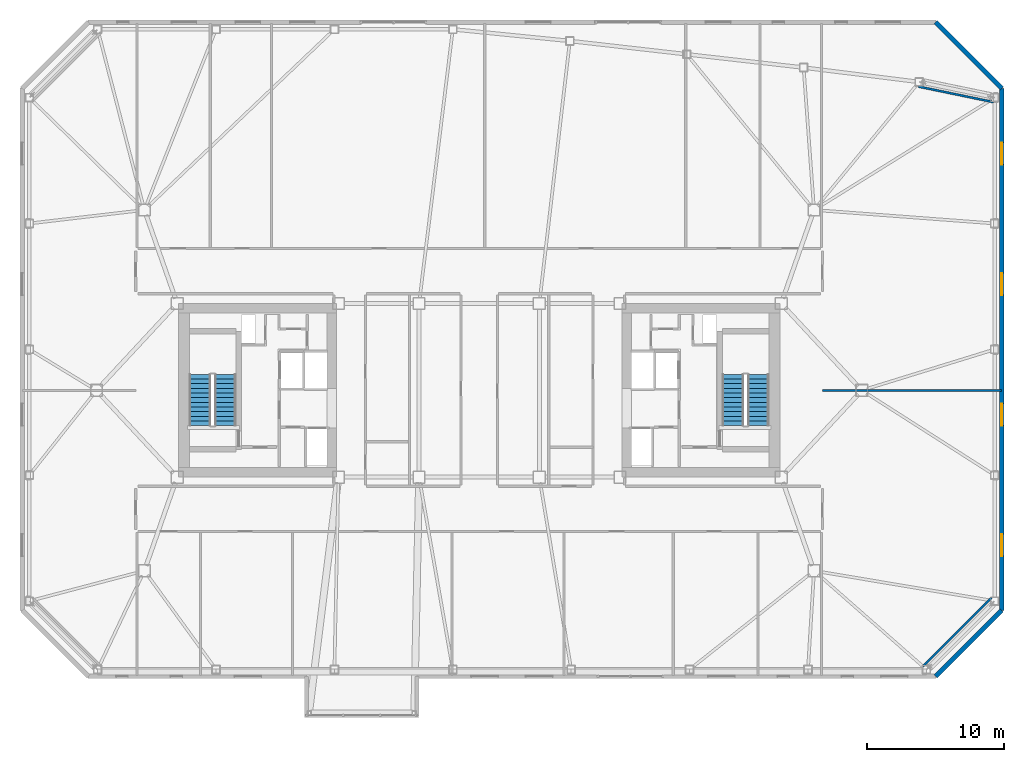
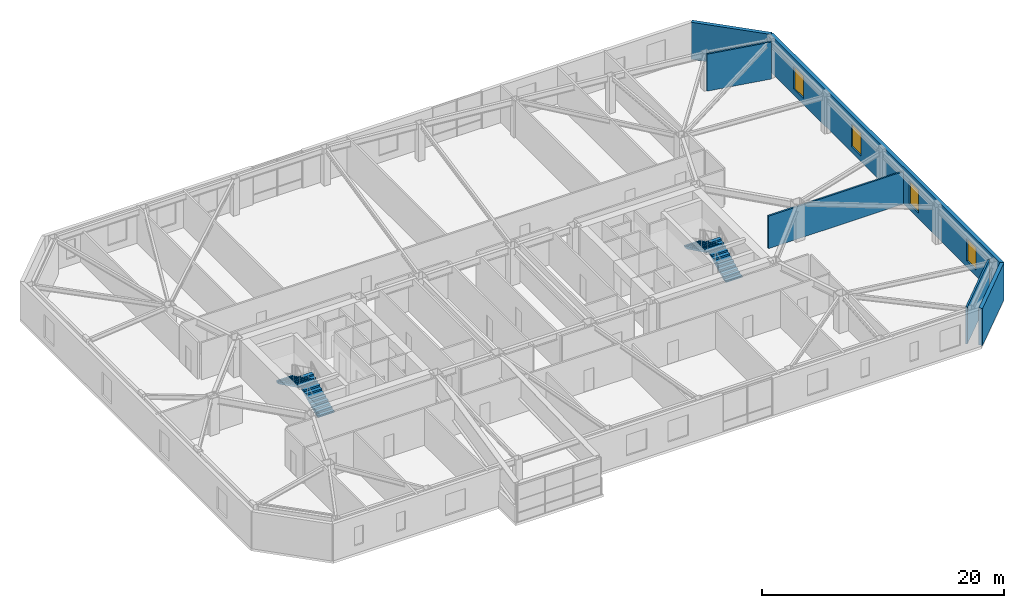
# One storey, part 15 of 19: 6 walls, 4 stair flights, 4 windows, 4 openings, 2 elements without a shape of their own.
"""IFC4 building model written with IfcOpenShell, lengths in metres."""

from ifc_helpers import new_model, si_unit, direction, frame, frame_2d, origin, place, context, subcontext, project, spatial, polyline, rectangle, outline, extrude, material, layer, layer_set, type_object, element, fill, aggregate, save


model = new_model("IFC4")

# Units and contexts
model_context = context("Model", 3, precision=1e-05, world=origin(), true_north=direction((0.0, 1.0)))
body_context = subcontext(model_context, "Body", "Model", "MODEL_VIEW")
ifc_project = project(units=[si_unit("LENGTHUNIT", "METRE"), si_unit("AREAUNIT", "SQUARE_METRE"), si_unit("VOLUMEUNIT", "CUBIC_METRE"), si_unit("PLANEANGLEUNIT", "RADIAN"), si_unit("MASSUNIT", "GRAM", prefix="KILO")], contexts=[model_context])

# Site, building, storey
site_placement = place(None, origin())
site = spatial("IfcSite", under=ifc_project, at=site_placement, CompositionType="ELEMENT")
building_placement = place(site_placement, origin())
building = spatial("IfcBuilding", under=site, at=building_placement, Name="Tavrogorsk Clinical Tower", CompositionType="ELEMENT")
storey_placement = place(building_placement, frame((0.0, 0.0, 156.199951171875)))
storey = spatial("IfcBuildingStorey", under=building, at=storey_placement, Name="L35", CompositionType="ELEMENT", Elevation=156.199951171875)

# Walls
ifc_material_1 = material(Name="Lightweight concrete blockwork B15", Category="masonry")
ifc_layer_1 = layer(ifc_material_1, 0.159912109375)
ifc_layer_set_1 = layer_set([ifc_layer_1], Name="Lightweight concrete blockwork B15")
wall_type_1 = type_object("IfcWallType", Name="PartitionWall_160", PredefinedType="PARTITIONING", material=ifc_layer_set_1)
wall_1_placement = place(storey_placement, frame((32.4794921875, -20.1796875, 0.0), z_axis=(0.0, 0.0, 1.0), x_axis=(0.707106781187, 0.707106781187, 0.0)))
element("IfcWall", 1, at=wall_1_placement, inside=storey, type_object=wall_type_1, Name="L35 Corner Exoskeleton Brace Furring Wall 1", PredefinedType="PARTITIONING", context=body_context, shape_type="SweptSolid", body=[
    extrude(rectangle(XDim=7.071044921875, YDim=0.159912109375, at=frame_2d((3.53564453125, 0.0))), origin(), (0.0, 0.0, 1.0), 3.739990234375),
])
wall_2_placement = place(storey_placement, frame((37.65087890625, 21.0869140625, 0.0), z_axis=(0.0, 0.0, 1.0), x_axis=(-0.979184618318, 0.202971631636, 0.0)))
element("IfcWall", 2, at=wall_2_placement, inside=storey, type_object=wall_type_1, Name="L35 Corner Exoskeleton Brace Furring Wall 2", PredefinedType="PARTITIONING", context=body_context, shape_type="SweptSolid", body=[
    extrude(rectangle(XDim=5.64599609375, YDim=0.159912109375, at=frame_2d((2.822998046875, 0.0))), origin(), (0.0, 0.0, 1.0), 3.739990234375),
])
wall_3_placement = place(storey_placement, frame((25.1298828125, 0.0, 0.0), z_axis=(0.0, 0.0, 1.0), x_axis=(1.0, 0.0, 0.0)))
element("IfcWall", 3, at=wall_3_placement, inside=storey, type_object=wall_type_1, Name="L35 E Wing Divider 1", PredefinedType="PARTITIONING", context=body_context, shape_type="SweptSolid", body=[
    extrude(rectangle(XDim=13.080078125, YDim=0.159912109375, at=frame_2d((6.5400390625, 0.0))), origin(), (0.0, 0.0, 1.0), 3.28515625),
])

# Wall, openings, windows
ifc_material_2 = material(Name="Precast concrete B45 with limestone cladding", Category="masonry")
ifc_layer_2 = layer(ifc_material_2, 0.340087890625)
ifc_layer_set_2 = layer_set([ifc_layer_2], Name="Precast concrete B45 with limestone cladding")
wall_type_2 = type_object("IfcWallType", Name="PrecastLimestoneWall_340", PredefinedType="STANDARD", material=ifc_layer_set_2)
wall_4_placement = place(storey_placement, frame((38.22998046875, -16.10009765625, 0.0), z_axis=(0.0, 0.0, 1.0), x_axis=(0.0, 1.0, 0.0)))
wall_4 = element("IfcWall", 4, at=wall_4_placement, inside=storey, type_object=wall_type_2, Name="L35 E Pleated Limestone Wing Wall", PredefinedType="STANDARD", context=body_context, shape_type="SweptSolid", body=[
    extrude(rectangle(XDim=38.2001953125, YDim=0.340087890625, at=frame_2d((19.10009765625, 0.0))), origin(), (0.0, 0.0, 1.0), 3.739990234375),
])
opening_1_placement = place(wall_4_placement, frame((3.97509765625, 0.0, 0.580078125)))
opening_1 = element("IfcOpeningElement", 5, at=opening_1_placement, cuts=wall_4, Name="Opening WN-07", PredefinedType="OPENING", context=body_context, shape_type="SweptSolid", body=[
    extrude(rectangle(XDim=1.60009765625, YDim=2.300048828125, at=frame_2d((0.800048828125, 1.14990234375))), frame((0.0, 0.179931640625, 0.0), z_axis=(0.0, -1.0, 0.0), x_axis=(1.0, 0.0, 0.0)), (0.0, 0.0, 1.0), 0.360107421875),
])
opening_2_placement = place(wall_4_placement, frame((13.52490234375, 0.0, 0.580078125)))
opening_2 = element("IfcOpeningElement", 6, at=opening_2_placement, cuts=wall_4, Name="Opening WN-07", PredefinedType="OPENING", context=body_context, shape_type="SweptSolid", body=[
    extrude(rectangle(XDim=1.60009765625, YDim=2.300048828125, at=frame_2d((0.800048828125, 1.14990234375))), frame((0.0, 0.179931640625, 0.0), z_axis=(0.0, -1.0, 0.0), x_axis=(1.0, 0.0, 0.0)), (0.0, 0.0, 1.0), 0.360107421875),
])
opening_3_placement = place(wall_4_placement, frame((23.074951171875, 0.0, 0.580078125)))
opening_3 = element("IfcOpeningElement", 7, at=opening_3_placement, cuts=wall_4, Name="Opening WN-07", PredefinedType="OPENING", context=body_context, shape_type="SweptSolid", body=[
    extrude(rectangle(XDim=1.60009765625, YDim=2.300048828125, at=frame_2d((0.800048828125, 1.14990234375))), frame((0.0, 0.179931640625, 0.0), z_axis=(0.0, -1.0, 0.0), x_axis=(1.0, 0.0, 0.0)), (0.0, 0.0, 1.0), 0.360107421875),
])
opening_4_placement = place(wall_4_placement, frame((32.625, 0.0, 0.580078125)))
opening_4 = element("IfcOpeningElement", 8, at=opening_4_placement, cuts=wall_4, Name="Opening WN-07", PredefinedType="OPENING", context=body_context, shape_type="SweptSolid", body=[
    extrude(rectangle(XDim=1.60009765625, YDim=2.300048828125, at=frame_2d((0.800048828125, 1.14990234375))), frame((0.0, 0.179931640625, 0.0), z_axis=(0.0, -1.0, 0.0), x_axis=(1.0, 0.0, 0.0)), (0.0, 0.0, 1.0), 0.360107421875),
])
ifc_material_3 = material(Name="Thermally broken aluminium frame and triple IGU", Category="aluminium")
window_type = type_object("IfcWindowType", Name="PleatSlotWin_1600x2300", PartitioningType="SINGLE_PANEL", PredefinedType="WINDOW", material=ifc_material_3)
window_1_placement = place(opening_1_placement, origin())
window_1 = element("IfcWindow", 9, at=window_1_placement, inside=storey, type_object=window_type, Name="L35 E Pleat Slot Window 1", OverallHeight=2.300048828125, OverallWidth=1.60009765625, PartitioningType="SINGLE_PANEL", PredefinedType="WINDOW", context=body_context, shape_type="SweptSolid", body=[
    extrude(rectangle(XDim=1.60009765625, YDim=2.300048828125, at=frame_2d((0.800048828125, 1.14990234375))), frame((0.0, 0.030029296875, 0.0), z_axis=(0.0, -1.0, 0.0), x_axis=(1.0, 0.0, 0.0)), (0.0, 0.0, 1.0), 0.06005859375),
])
fill(opening_1, window_1)
window_2_placement = place(opening_2_placement, origin())
window_2 = element("IfcWindow", 10, at=window_2_placement, inside=storey, type_object=window_type, Name="L35 E Pleat Slot Window 2", OverallHeight=2.300048828125, OverallWidth=1.60009765625, PartitioningType="SINGLE_PANEL", PredefinedType="WINDOW", context=body_context, shape_type="SweptSolid", body=[
    extrude(rectangle(XDim=1.60009765625, YDim=2.300048828125, at=frame_2d((0.800048828125, 1.14990234375))), frame((0.0, 0.030029296875, 0.0), z_axis=(0.0, -1.0, 0.0), x_axis=(1.0, 0.0, 0.0)), (0.0, 0.0, 1.0), 0.06005859375),
])
fill(opening_2, window_2)
window_3_placement = place(opening_3_placement, origin())
window_3 = element("IfcWindow", 11, at=window_3_placement, inside=storey, type_object=window_type, Name="L35 E Pleat Slot Window 3", OverallHeight=2.300048828125, OverallWidth=1.60009765625, PartitioningType="SINGLE_PANEL", PredefinedType="WINDOW", context=body_context, shape_type="SweptSolid", body=[
    extrude(rectangle(XDim=1.60009765625, YDim=2.300048828125, at=frame_2d((0.800048828125, 1.14990234375))), frame((0.0, 0.030029296875, 0.0), z_axis=(0.0, -1.0, 0.0), x_axis=(1.0, 0.0, 0.0)), (0.0, 0.0, 1.0), 0.06005859375),
])
fill(opening_3, window_3)
window_4_placement = place(opening_4_placement, origin())
window_4 = element("IfcWindow", 12, at=window_4_placement, inside=storey, type_object=window_type, Name="L35 E Pleat Slot Window 4", OverallHeight=2.300048828125, OverallWidth=1.60009765625, PartitioningType="SINGLE_PANEL", PredefinedType="WINDOW", context=body_context, shape_type="SweptSolid", body=[
    extrude(rectangle(XDim=1.60009765625, YDim=2.300048828125, at=frame_2d((0.800048828125, 1.14990234375))), frame((0.0, 0.030029296875, 0.0), z_axis=(0.0, -1.0, 0.0), x_axis=(1.0, 0.0, 0.0)), (0.0, 0.0, 1.0), 0.06005859375),
])
fill(opening_4, window_4)

# Walls
for number, where, z_axis, x_axis, name in (
    (13, (33.39990234375, -20.929931640625, 0.0), (0.0, 0.0, 1.0), (0.707124652085, 0.707088909836, 0.0), "L35 Chamfered Corner Wall 1"),
    (14, (38.22998046875, 22.10009765625, 0.0), (0.0, 0.0, 1.0), (-0.707124652085, 0.707088909836, 0.0), "L35 Chamfered Corner Wall 2"),
):
    element("IfcWall", number, at=place(storey_placement, frame(where, z_axis=z_axis, x_axis=x_axis)), inside=storey, type_object=wall_type_2, Name=name, PredefinedType="STANDARD", context=body_context, shape_type="SweptSolid", body=[
        extrude(rectangle(XDim=6.83056640625, YDim=0.340087890625, at=frame_2d((3.415283203125, 0.0))), origin(), (0.0, 0.0, 1.0), 3.739990234375),
    ])

# Stair, stair flights
ifc_material_4 = material(Name="Concrete B60", Category="concrete")
stair_type = type_object("IfcStairType", Name="CoreStairAssembly", PredefinedType="HALF_TURN_STAIR", material=ifc_material_4)
stair_1_placement = place(storey_placement, origin())
stair_1 = element("IfcStair", 15, at=stair_1_placement, inside=storey, type_object=stair_type, Name="L35 ST-W", PredefinedType="HALF_TURN_STAIR")
ifc_material_5 = material(Name="Concrete B60", Category="concrete")
stair_flight_type = type_object("IfcStairFlightType", Name="CoreStairFlight", PredefinedType="STRAIGHT", material=ifc_material_5)
stair_flight_1_placement = place(storey_placement, frame((-18.574951171875, -2.574951171875, 0.0), z_axis=(0.0, 0.0, 1.0), x_axis=(0.0, 1.0, 0.0)))
stair_flight_1 = element("IfcStairFlight", 16, at=stair_flight_1_placement, type_object=stair_flight_type, Name="ST-W flight 1", NumberOfRisers=12, NumberOfTreads=11, PredefinedType="STRAIGHT", RiserHeight=0.166666667, TreadLength=0.34, context=body_context, shape_type="SweptSolid", body=[
    extrude(outline(polyline([(0.0, 0.0), (0.0, 0.166748046875), (0.340087890625, 0.166748046875), (0.340087890625, 0.333251953125), (0.679931640625, 0.333251953125), (0.679931640625, 0.5), (1.02001953125, 0.5), (1.02001953125, 0.666748046875), (1.360107421875, 0.666748046875), (1.360107421875, 0.833251953125), (1.699951171875, 0.833251953125), (1.699951171875, 1.0), (2.0400390625, 1.0), (2.0400390625, 1.166748046875), (2.3798828125, 1.166748046875), (2.3798828125, 1.333251953125), (2.719970703125, 1.333251953125), (2.719970703125, 1.5), (3.06005859375, 1.5), (3.06005859375, 1.666748046875), (3.39990234375, 1.666748046875), (3.39990234375, 1.833251953125), (3.739990234375, 1.833251953125), (3.739990234375, 2.0), (3.739990234375, 1.66650390625), (0.340576171875, 0.0), (0.0, 0.0)])), frame((0.0, 0.77490234375, 0.0), z_axis=(0.0, -1.0, 0.0), x_axis=(1.0, 0.0, 0.0)), (0.0, 0.0, 1.0), 1.550048828125),
])
stair_flight_2_placement = place(storey_placement, frame((-20.425048828125, 1.1650390625, 2.0), z_axis=(0.0, 0.0, 1.0), x_axis=(0.0, -1.0, 0.0)))
stair_flight_2 = element("IfcStairFlight", 17, at=stair_flight_2_placement, type_object=stair_flight_type, Name="ST-W flight 2", NumberOfRisers=12, NumberOfTreads=11, PredefinedType="STRAIGHT", RiserHeight=0.166666667, TreadLength=0.34, context=body_context, shape_type="SweptSolid", body=[
    extrude(outline(polyline([(0.0, 0.0), (0.0, 0.166748046875), (0.340087890625, 0.166748046875), (0.340087890625, 0.333251953125), (0.679931640625, 0.333251953125), (0.679931640625, 0.5), (1.02001953125, 0.5), (1.02001953125, 0.666748046875), (1.360107421875, 0.666748046875), (1.360107421875, 0.833251953125), (1.699951171875, 0.833251953125), (1.699951171875, 1.0), (2.0400390625, 1.0), (2.0400390625, 1.166748046875), (2.3798828125, 1.166748046875), (2.3798828125, 1.333251953125), (2.719970703125, 1.333251953125), (2.719970703125, 1.5), (3.06005859375, 1.5), (3.06005859375, 1.666748046875), (3.39990234375, 1.666748046875), (3.39990234375, 1.833251953125), (3.739990234375, 1.833251953125), (3.739990234375, 2.0), (3.739990234375, 1.66650390625), (0.340576171875, 0.0), (0.0, 0.0)])), frame((0.0, 0.77490234375, 0.0), z_axis=(0.0, -1.0, 0.0), x_axis=(1.0, 0.0, 0.0)), (0.0, 0.0, 1.0), 1.550048828125),
])
aggregate(stair_1, [stair_flight_1, stair_flight_2])

stair_2_placement = place(storey_placement, origin())
stair_2 = element("IfcStair", 18, at=stair_2_placement, inside=storey, type_object=stair_type, Name="L35 ST-E", PredefinedType="HALF_TURN_STAIR")
stair_flight_3_placement = place(storey_placement, frame((20.425048828125, -2.574951171875, 0.0), z_axis=(0.0, 0.0, 1.0), x_axis=(0.0, 1.0, 0.0)))
stair_flight_3 = element("IfcStairFlight", 19, at=stair_flight_3_placement, type_object=stair_flight_type, Name="ST-E flight 1", NumberOfRisers=12, NumberOfTreads=11, PredefinedType="STRAIGHT", RiserHeight=0.166666667, TreadLength=0.34, context=body_context, shape_type="SweptSolid", body=[
    extrude(outline(polyline([(0.0, 0.0), (0.0, 0.166748046875), (0.340087890625, 0.166748046875), (0.340087890625, 0.333251953125), (0.679931640625, 0.333251953125), (0.679931640625, 0.5), (1.02001953125, 0.5), (1.02001953125, 0.666748046875), (1.360107421875, 0.666748046875), (1.360107421875, 0.833251953125), (1.699951171875, 0.833251953125), (1.699951171875, 1.0), (2.0400390625, 1.0), (2.0400390625, 1.166748046875), (2.3798828125, 1.166748046875), (2.3798828125, 1.333251953125), (2.719970703125, 1.333251953125), (2.719970703125, 1.5), (3.06005859375, 1.5), (3.06005859375, 1.666748046875), (3.39990234375, 1.666748046875), (3.39990234375, 1.833251953125), (3.739990234375, 1.833251953125), (3.739990234375, 2.0), (3.739990234375, 1.66650390625), (0.340576171875, 0.0), (0.0, 0.0)])), frame((0.0, 0.77490234375, 0.0), z_axis=(0.0, -1.0, 0.0), x_axis=(1.0, 0.0, 0.0)), (0.0, 0.0, 1.0), 1.550048828125),
])
stair_flight_4_placement = place(storey_placement, frame((18.574951171875, 1.1650390625, 2.0), z_axis=(0.0, 0.0, 1.0), x_axis=(0.0, -1.0, 0.0)))
stair_flight_4 = element("IfcStairFlight", 20, at=stair_flight_4_placement, type_object=stair_flight_type, Name="ST-E flight 2", NumberOfRisers=12, NumberOfTreads=11, PredefinedType="STRAIGHT", RiserHeight=0.166666667, TreadLength=0.34, context=body_context, shape_type="SweptSolid", body=[
    extrude(outline(polyline([(0.0, 0.0), (0.0, 0.166748046875), (0.340087890625, 0.166748046875), (0.340087890625, 0.333251953125), (0.679931640625, 0.333251953125), (0.679931640625, 0.5), (1.02001953125, 0.5), (1.02001953125, 0.666748046875), (1.360107421875, 0.666748046875), (1.360107421875, 0.833251953125), (1.699951171875, 0.833251953125), (1.699951171875, 1.0), (2.0400390625, 1.0), (2.0400390625, 1.166748046875), (2.3798828125, 1.166748046875), (2.3798828125, 1.333251953125), (2.719970703125, 1.333251953125), (2.719970703125, 1.5), (3.06005859375, 1.5), (3.06005859375, 1.666748046875), (3.39990234375, 1.666748046875), (3.39990234375, 1.833251953125), (3.739990234375, 1.833251953125), (3.739990234375, 2.0), (3.739990234375, 1.66650390625), (0.340576171875, 0.0), (0.0, 0.0)])), frame((0.0, 0.77490234375, 0.0), z_axis=(0.0, -1.0, 0.0), x_axis=(1.0, 0.0, 0.0)), (0.0, 0.0, 1.0), 1.550048828125),
])
aggregate(stair_2, [stair_flight_3, stair_flight_4])

save(model, "model.ifc")
